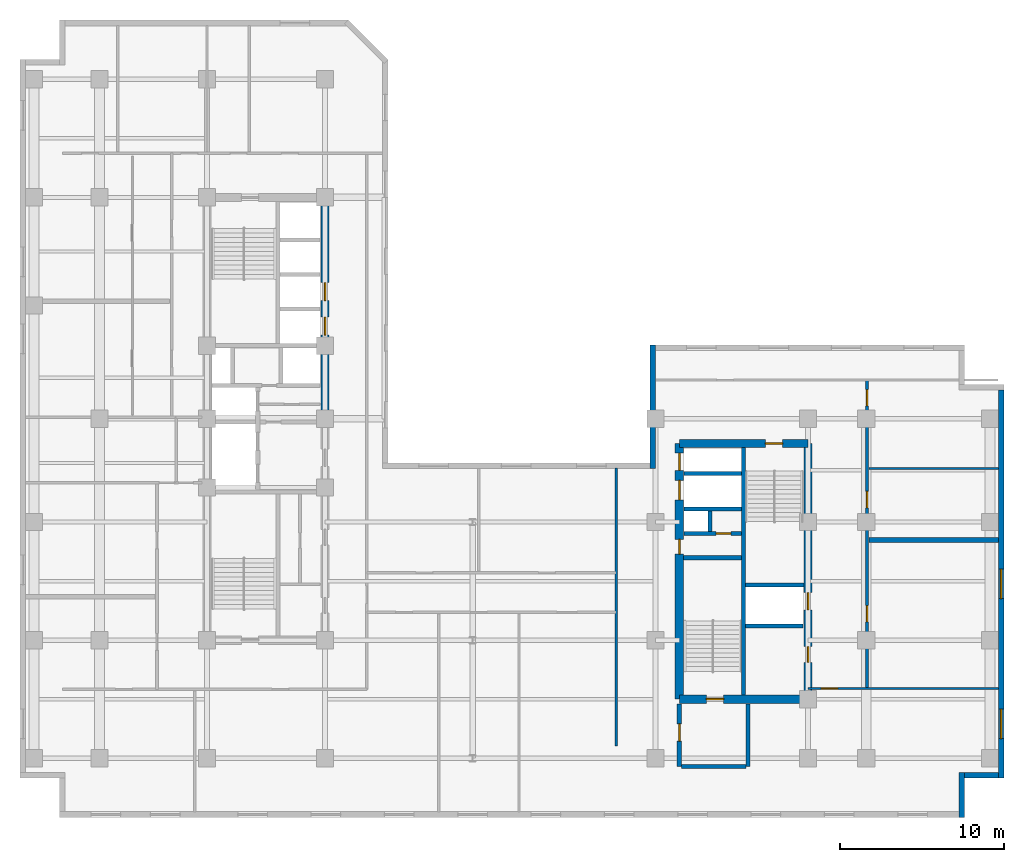
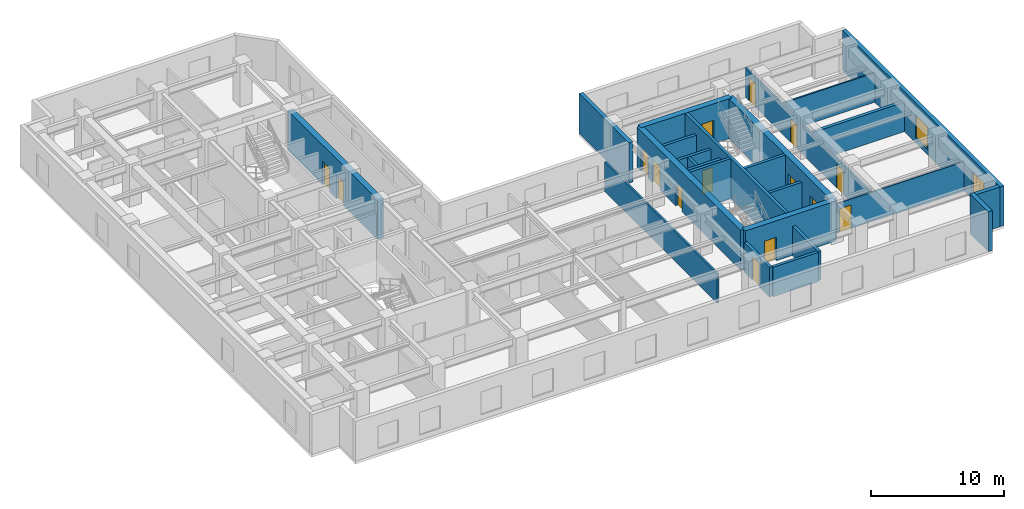
# One storey, part 5 of 10: 25 walls, 15 doors, 2 windows, 17 openings.
"""IFC4 building model written with IfcOpenShell, lengths in metres."""

import ifcopenshell
import ifcopenshell.guid

model = None  # the IFC model being written
_history = None  # IfcOwnerHistory: only IFC2X3 demands one
_inside = {}  # id of a spatial element -> (the spatial element, [elements in it])
_under = {}  # id of a project, library or spatial element -> (it, [spatial elements below it])
_declared = {}  # id of a project -> (the project, [libraries it declares])
_typed = {}  # id of a type object -> (the type object, [elements of that type])
_made_of = {}  # id of a material, layer set ... -> (it, [elements and type objects made of it])


def new_model(schema):
    """Start an empty IFC model of exactly this schema.

    Asked for "IFC4X3", IfcOpenShell would pick the latest addendum, in which some entities
    have other attributes; the version numbers below select the first issue.
    IFC2X3 requires an IfcOwnerHistory on every rooted entity: one is made here for all.
    """
    global model, _history
    if schema == "IFC4X3":
        model = ifcopenshell.file(schema_version=(4, 3, 0, 0))
    else:
        model = ifcopenshell.file(schema=schema)
    _inside.clear()
    _under.clear()
    _declared.clear()
    _typed.clear()
    _made_of.clear()
    _history = None
    if model.schema == "IFC2X3":
        org = make("IfcOrganization", Name="unknown")
        user = make(
            "IfcPersonAndOrganization",
            ThePerson=make("IfcPerson", FamilyName="unknown"),
            TheOrganization=org,
        )
        app = make(
            "IfcApplication",
            ApplicationDeveloper=org,
            Version="unknown",
            ApplicationFullName="unknown",
            ApplicationIdentifier="unknown",
        )
        _history = make(
            "IfcOwnerHistory",
            OwningUser=user,
            OwningApplication=app,
            ChangeAction="ADDED",
            CreationDate=0,
        )
    return model


def make(cls, **values):
    """One entity of the class cls with the attributes given. An attribute that is None is left unset."""
    return model.create_entity(
        cls, **{name: value for name, value in values.items() if value is not None}
    )


def entity(cls, *values):
    """Any entity or typed value of the class cls, its attributes in the order of the schema. None: left unset."""
    e = model.create_entity(cls)
    for i, value in enumerate(values):
        if value is not None:
            e[i] = value
    return e


def rooted(cls, **values):
    """An entity with a GlobalId (a new one), such as an element, a storey or a relation."""
    return make(cls, GlobalId=ifcopenshell.guid.new(), OwnerHistory=_history, **values)


def si_unit(unit_type, name, prefix=None):
    """IfcSIUnit, for example si_unit("LENGTHUNIT", "METRE", prefix="MILLI")."""
    return make("IfcSIUnit", UnitType=unit_type, Prefix=prefix, Name=name)


def converted_unit(unit_type, name, factor, base, dimensions=None, offset=None):
    """IfcConversionBasedUnit, such as the inch: factor (a typed value) times the base unit."""
    return make(
        "IfcConversionBasedUnit"
        if offset is None
        else "IfcConversionBasedUnitWithOffset",
        ConversionOffset=offset,
        Dimensions=None
        if dimensions is None
        else entity("IfcDimensionalExponents", *dimensions),
        UnitType=unit_type,
        Name=name,
        ConversionFactor=make(
            "IfcMeasureWithUnit", ValueComponent=factor, UnitComponent=base
        ),
    )


def assignment(units):
    """IfcUnitAssignment: the units of a project."""
    return None if units is None else make("IfcUnitAssignment", Units=units)


def point(xyz):
    """IfcCartesianPoint."""
    return None if xyz is None else make("IfcCartesianPoint", Coordinates=xyz)


def direction(xyz):
    """IfcDirection."""
    return None if xyz is None else make("IfcDirection", DirectionRatios=xyz)


def frame(location, z_axis=None, x_axis=None):
    """IfcAxis2Placement3D, a coordinate frame: its origin and axes. An axis left out is left unset."""
    return make(
        "IfcAxis2Placement3D",
        Location=point(location),
        Axis=direction(z_axis),
        RefDirection=direction(x_axis),
    )


def frame_2d(location, x_axis=None):
    """IfcAxis2Placement2D, a coordinate frame in the plane: its origin and x axis."""
    return make(
        "IfcAxis2Placement2D", Location=point(location), RefDirection=direction(x_axis)
    )


def origin_with_axes():
    """The frame at (0, 0, 0) with the z axis (0, 0, 1) and the x axis (1, 0, 0) written out."""
    return frame((0.0, 0.0, 0.0), z_axis=(0.0, 0.0, 1.0), x_axis=(1.0, 0.0, 0.0))


def origin_2d_with_axis():
    """The frame at (0, 0) in the plane with the x axis (1, 0) written out."""
    return frame_2d((0.0, 0.0), x_axis=(1.0, 0.0))


def place(relative_to, where):
    """IfcLocalPlacement: puts the frame where relative to a parent placement (None: the world)."""
    return make(
        "IfcLocalPlacement", PlacementRelTo=relative_to, RelativePlacement=where
    )


def context(
    kind, dimensions, precision=None, world=None, true_north=None, identifier=None
):
    """IfcGeometricRepresentationContext, for example the 3D "Model" context."""
    return make(
        "IfcGeometricRepresentationContext",
        ContextIdentifier=identifier,
        ContextType=kind,
        CoordinateSpaceDimension=dimensions,
        Precision=precision,
        WorldCoordinateSystem=world,
        TrueNorth=true_north,
    )


def subcontext(parent, identifier, kind, view, scale=None):
    """IfcGeometricRepresentationSubContext, for example "Body" below "Model"."""
    return make(
        "IfcGeometricRepresentationSubContext",
        ContextIdentifier=identifier,
        ContextType=kind,
        ParentContext=parent,
        TargetScale=scale,
        TargetView=view,
    )


def project(units=None, contexts=None):
    """IfcProject with its units and contexts."""
    return rooted(
        "IfcProject",
        Name="project",
        RepresentationContexts=contexts,
        UnitsInContext=assignment(units),
    )


def spatial(cls, under=None, at=None, **own):
    """A site, building, storey or space (cls), placed at a placement, below another one or the project."""
    s = rooted(cls, ObjectPlacement=at, **own)
    if under is not None:
        _under.setdefault(under.id(), (under, []))[1].append(s)
    return s


def polyline(points):
    """IfcPolyline through the points."""
    return make("IfcPolyline", Points=[point(p) for p in points])


def profile(cls, at=None, kind="AREA", **sizes):
    """A parametric profile (cls). Its sizes go by their IFC names, for example OverallWidth=200.0."""
    return make(cls, ProfileType=kind, Position=at, **sizes)


def rectangle(**sizes):
    """IfcRectangleProfileDef."""
    return profile("IfcRectangleProfileDef", **sizes)


def outline(outer, holes=None, kind="AREA"):
    """IfcArbitraryClosedProfileDef: a profile drawn as a closed curve; with holes, ...WithVoids."""
    if holes is None:
        return make("IfcArbitraryClosedProfileDef", ProfileType=kind, OuterCurve=outer)
    return make(
        "IfcArbitraryProfileDefWithVoids",
        ProfileType=kind,
        OuterCurve=outer,
        InnerCurves=holes,
    )


def extrude(swept, where, along, depth):
    """IfcExtrudedAreaSolid: the profile swept, set in the frame where, extruded along a direction by depth."""
    return make(
        "IfcExtrudedAreaSolid",
        SweptArea=swept,
        Position=where,
        ExtrudedDirection=direction(along),
        Depth=depth,
    )


def shape(context_of_items, identifier, shape_type, items):
    """IfcShapeRepresentation: the items that make up one representation, for example the "Body"."""
    return make(
        "IfcShapeRepresentation",
        ContextOfItems=context_of_items,
        RepresentationIdentifier=identifier,
        RepresentationType=shape_type,
        Items=items,
    )


def material(Name=None, Category=None):
    """IfcMaterial."""
    return make("IfcMaterial", Name=Name, Category=Category)


def layer(
    of_material, thickness, ventilated=None, Name=None, Category=None, Priority=None
):
    """IfcMaterialLayer: one layer of a wall or slab, of a material (None: an air gap)."""
    return make(
        "IfcMaterialLayer",
        Material=of_material,
        LayerThickness=thickness,
        IsVentilated=ventilated,
        Name=Name,
        Category=Category,
        Priority=Priority,
    )


def layer_set(layers, Name=None):
    """IfcMaterialLayerSet."""
    return make("IfcMaterialLayerSet", MaterialLayers=layers, LayerSetName=Name)


def made_of(thing, what):
    """Note that an element or type object is made of a material, layer set ...; save() writes the relation."""
    if what is not None:
        _made_of.setdefault(what.id(), (what, []))[1].append(thing)
    return thing


def type_object(cls, material=None, **own):
    """A type object (cls), such as IfcWallType, which elements share."""
    return made_of(rooted(cls, **own), material)


def element(
    cls,
    number,
    at=None,
    inside=None,
    cuts=None,
    type_object=None,
    material=None,
    context=None,
    identifier="Body",
    shape_type=None,
    held_by="IfcProductDefinitionShape",
    body=None,
    shapes=None,
    **own,
):
    """One element of the class cls, such as IfcWall. Its Tag is "e" and its number.

    at: its placement. inside: the storey or other place that contains it. cuts: it is an
    opening in that element (IfcRelVoidsElement). A single representation is given by context,
    identifier, shape_type and body (its items); several are given by shapes. held_by: the class
    of the entity that holds the representations. save() writes the other relations.
    """
    e = rooted(cls, Tag="e%d" % number, ObjectPlacement=at, **own)
    if body is not None:
        shapes = [shape(context, identifier, shape_type, body)]
    if shapes is not None:
        e.Representation = make(held_by, Representations=shapes)
    if inside is not None:
        _inside.setdefault(inside.id(), (inside, []))[1].append(e)
    if cuts is not None:
        rooted(
            "IfcRelVoidsElement", RelatingBuildingElement=cuts, RelatedOpeningElement=e
        )
    if type_object is not None:
        _typed.setdefault(type_object.id(), (type_object, []))[1].append(e)
    return made_of(e, material)


def fill(opening, filler):
    """IfcRelFillsElement: the door or window that sits in an opening."""
    return rooted(
        "IfcRelFillsElement",
        RelatingOpeningElement=opening,
        RelatedBuildingElement=filler,
    )


def aggregate(whole, parts):
    """IfcRelAggregates: a whole, such as a stair, and the parts it consists of."""
    return rooted("IfcRelAggregates", RelatingObject=whole, RelatedObjects=parts)


def save(model, path):
    """Write the relations noted so far, then the file.

    IfcRelAggregates (storeys below a building ...), IfcRelContainedInSpatialStructure (elements
    in a storey), IfcRelDefinesByType, IfcRelAssociatesMaterial and IfcRelDeclares: one each for
    every whole, place, type object, material and project.
    """
    for whole, parts in _under.values():
        aggregate(whole, parts)
    for where, things in _inside.values():
        rooted(
            "IfcRelContainedInSpatialStructure",
            RelatedElements=things,
            RelatingStructure=where,
        )
    for kind, things in _typed.values():
        rooted("IfcRelDefinesByType", RelatedObjects=things, RelatingType=kind)
    for what, things in _made_of.values():
        rooted("IfcRelAssociatesMaterial", RelatedObjects=things, RelatingMaterial=what)
    for by, libraries in _declared.values():
        rooted("IfcRelDeclares", RelatingContext=by, RelatedDefinitions=libraries)
    model.write(path)


model = new_model("IFC4")

# Units and contexts
model_context = context("Model", 3, precision=1e-05, world=origin_with_axes(), true_north=direction((0.0, 1.0)))
body_context = subcontext(model_context, "Body", "Model", "MODEL_VIEW")
ifc_project = project(units=[si_unit("LENGTHUNIT", "METRE"), si_unit("AREAUNIT", "SQUARE_METRE"), si_unit("VOLUMEUNIT", "CUBIC_METRE"), converted_unit("PLANEANGLEUNIT", "DEGREE", entity("IfcPlaneAngleMeasure", 0.017453292519943295), si_unit("PLANEANGLEUNIT", "RADIAN"), dimensions=[0, 0, 0, 0, 0, 0, 0]), si_unit("MASSUNIT", "GRAM", prefix="KILO"), si_unit("THERMODYNAMICTEMPERATUREUNIT", "KELVIN")], contexts=[model_context])

# Site, building, storey
site_placement = place(None, origin_with_axes())
site = spatial("IfcSite", under=ifc_project, at=site_placement, CompositionType="ELEMENT")
building_placement = place(site_placement, origin_with_axes())
building = spatial("IfcBuilding", under=site, at=building_placement, Name="Varnlund Millrace Tower", CompositionType="ELEMENT")
storey_placement = place(building_placement, frame((0.0, 0.0, 148.5), z_axis=(0.0, 0.0, 1.0), x_axis=(1.0, 0.0, 0.0)))
storey = spatial("IfcBuildingStorey", under=building, at=storey_placement, Name="L36", CompositionType="ELEMENT", Elevation=148.5)

# Wall, openings, doors
ifc_material_1 = material(Name="Concrete C70/85", Category="concrete")
ifc_layer_1 = layer(ifc_material_1, 0.5, Name="Concrete C70/85")
ifc_layer_set_1 = layer_set([ifc_layer_1], Name="Concrete C70/85")
wall_type_1 = type_object("IfcWallType", Name="Type-CoreWall-Shear-500-C70", PredefinedType="SHEAR", material=ifc_layer_set_1)
wall_1_placement = place(storey_placement, frame((18.6, 24.3, 0.0), z_axis=(0.0, 0.0, 1.0), x_axis=(0.0, 1.0, 0.0)))
wall_1 = element("IfcWall", 1, at=wall_1_placement, inside=storey, type_object=wall_type_1, Name="Type-CoreWall-Shear-500-C70", PredefinedType="SHEAR", context=body_context, shape_type="SweptSolid", body=[
    extrude(outline(polyline([(0.0, -0.25), (13.5, -0.25), (13.5, 0.25), (0.0, 0.25), (0.0, -0.25)])), origin_with_axes(), (0.0, 0.0, 1.0), 3.66),
])
opening_1_placement = place(wall_1_placement, frame((5.65, 0.0, 0.0), z_axis=(0.0, 0.0, 1.0), x_axis=(1.0, 0.0, 0.0)))
opening_1 = element("IfcOpeningElement", 2, at=opening_1_placement, cuts=wall_1, Name="Opening L36:LD-ELV-M1", PredefinedType="OPENING", context=body_context, shape_type="SweptSolid", body=[
    extrude(rectangle(XDim=1.1, YDim=0.52, at=origin_2d_with_axis()), origin_with_axes(), (0.0, 0.0, 1.0), 2.15),
])
opening_2_placement = place(wall_1_placement, frame((7.75, 0.0, 0.0), z_axis=(0.0, 0.0, 1.0), x_axis=(1.0, 0.0, 0.0)))
opening_2 = element("IfcOpeningElement", 3, at=opening_2_placement, cuts=wall_1, Name="Opening L36:LD-ELV-M2", PredefinedType="OPENING", context=body_context, shape_type="SweptSolid", body=[
    extrude(rectangle(XDim=1.1, YDim=0.52, at=origin_2d_with_axis()), origin_with_axes(), (0.0, 0.0, 1.0), 2.15),
])
ifc_material_2 = material(Name="Stainless and architectural bronze sliding landing door")
door_type_1 = type_object("IfcDoorType", Name="Type-LiftLandingDoor-1100X2150", OperationType="NOTDEFINED", PredefinedType="DOOR", material=ifc_material_2)
door_1_placement = place(wall_1_placement, frame((5.65, 0.0, 0.0), z_axis=(0.0, 0.0, 1.0), x_axis=(1.0, 0.0, 0.0)))
door_1 = element("IfcDoor", 4, at=door_1_placement, inside=storey, type_object=door_type_1, Name="Type-LiftLandingDoor-1100X2150", OperationType="SLIDING_TO_LEFT", OverallHeight=2.15, OverallWidth=1.1, PredefinedType="DOOR", context=body_context, shape_type="SweptSolid", body=[
    extrude(rectangle(XDim=1.1, YDim=0.09, at=origin_2d_with_axis()), origin_with_axes(), (0.0, 0.0, 1.0), 2.15),
])
fill(opening_1, door_1)
door_2_placement = place(wall_1_placement, frame((7.75, 0.0, 0.0), z_axis=(0.0, 0.0, 1.0), x_axis=(1.0, 0.0, 0.0)))
door_2 = element("IfcDoor", 5, at=door_2_placement, inside=storey, type_object=door_type_1, Name="Type-LiftLandingDoor-1100X2150", OperationType="SLIDING_TO_RIGHT", OverallHeight=2.15, OverallWidth=1.1, PredefinedType="DOOR", context=body_context, shape_type="SweptSolid", body=[
    extrude(rectangle(XDim=1.1, YDim=0.09, at=origin_2d_with_axis()), origin_with_axes(), (0.0, 0.0, 1.0), 2.15),
])
fill(opening_2, door_2)

wall_2_placement = place(storey_placement, frame((40.2, 7.2, 0.0), z_axis=(0.0, 0.0, 1.0), x_axis=(0.0, 1.0, 0.0)))
wall_2 = element("IfcWall", 6, at=wall_2_placement, inside=storey, type_object=wall_type_1, Name="Type-CoreWall-Shear-500-C70", PredefinedType="SHEAR", context=body_context, shape_type="SweptSolid", body=[
    extrude(outline(polyline([(0.0, -0.25), (15.6, -0.25), (15.6, 0.25), (0.0, 0.25), (0.0, -0.25)])), origin_with_axes(), (0.0, 0.0, 1.0), 3.66),
])
opening_3_placement = place(wall_2_placement, frame((14.475, 0.0, 0.0), z_axis=(0.0, 0.0, 1.0), x_axis=(1.0, 0.0, 0.0)))
opening_3 = element("IfcOpeningElement", 7, at=opening_3_placement, cuts=wall_2, Name="Opening L36:LD-ELV-M4", PredefinedType="OPENING", context=body_context, shape_type="SweptSolid", body=[
    extrude(rectangle(XDim=1.05, YDim=0.52, at=origin_2d_with_axis()), origin_with_axes(), (0.0, 0.0, 1.0), 2.15),
])
opening_4_placement = place(wall_2_placement, frame((12.75, 0.0, 0.0), z_axis=(0.0, 0.0, 1.0), x_axis=(1.0, 0.0, 0.0)))
opening_4 = element("IfcOpeningElement", 8, at=opening_4_placement, cuts=wall_2, Name="Opening L36:LD-SRV2", PredefinedType="OPENING", context=body_context, shape_type="SweptSolid", body=[
    extrude(rectangle(XDim=1.2, YDim=0.52, at=origin_2d_with_axis()), origin_with_axes(), (0.0, 0.0, 1.0), 2.15),
])
opening_5_placement = place(wall_2_placement, frame((9.3, 0.0, 0.0), z_axis=(0.0, 0.0, 1.0), x_axis=(1.0, 0.0, 0.0)))
opening_5 = element("IfcOpeningElement", 9, at=opening_5_placement, cuts=wall_2, Name="Opening L36:DR-CB-JAN", PredefinedType="OPENING", context=body_context, shape_type="SweptSolid", body=[
    extrude(rectangle(XDim=0.9, YDim=0.52, at=origin_2d_with_axis()), origin_with_axes(), (0.0, 0.0, 1.0), 2.15),
])
ifc_material_3 = material(Name="Fire-rated hollow steel service closet door", Category="steel")
door_type_2 = type_object("IfcDoorType", Name="Type-FireDoor-Closet-900X2150", OperationType="NOTDEFINED", PredefinedType="DOOR", material=ifc_material_3)
door_3_placement = place(wall_2_placement, frame((9.3, 0.0, 0.0), z_axis=(0.0, 0.0, 1.0), x_axis=(1.0, 0.0, 0.0)))
door_3 = element("IfcDoor", 10, at=door_3_placement, inside=storey, type_object=door_type_2, Name="Type-FireDoor-Closet-900X2150", OperationType="SINGLE_SWING_RIGHT", OverallHeight=2.15, OverallWidth=0.9, PredefinedType="DOOR", context=body_context, shape_type="SweptSolid", body=[
    extrude(rectangle(XDim=0.9, YDim=0.09, at=origin_2d_with_axis()), origin_with_axes(), (0.0, 0.0, 1.0), 2.15),
])
fill(opening_5, door_3)
ifc_material_4 = material(Name="Architectural bronze sliding landing door")
door_type_3 = type_object("IfcDoorType", Name="Type-LiftLandingDoor-Compact-1050X2150", OperationType="NOTDEFINED", PredefinedType="DOOR", material=ifc_material_4)
door_4_placement = place(wall_2_placement, frame((14.475, 0.0, 0.0), z_axis=(0.0, 0.0, 1.0), x_axis=(1.0, 0.0, 0.0)))
door_4 = element("IfcDoor", 11, at=door_4_placement, inside=storey, type_object=door_type_3, Name="Type-LiftLandingDoor-Compact-1050X2150", OperationType="SLIDING_TO_RIGHT", OverallHeight=2.15, OverallWidth=1.05, PredefinedType="DOOR", context=body_context, shape_type="SweptSolid", body=[
    extrude(rectangle(XDim=1.05, YDim=0.09, at=origin_2d_with_axis()), origin_with_axes(), (0.0, 0.0, 1.0), 2.15),
])
fill(opening_3, door_4)
ifc_material_5 = material(Name="Heavy-duty freight sliding landing door")
door_type_4 = type_object("IfcDoorType", Name="Type-LiftLandingDoor-Service-1200X2150", OperationType="NOTDEFINED", PredefinedType="DOOR", material=ifc_material_5)
door_5_placement = place(wall_2_placement, frame((12.75, 0.0, 0.0), z_axis=(0.0, 0.0, 1.0), x_axis=(1.0, 0.0, 0.0)))
door_5 = element("IfcDoor", 12, at=door_5_placement, inside=storey, type_object=door_type_4, Name="Type-LiftLandingDoor-Service-1200X2150", OperationType="DOUBLE_DOOR_SLIDING", OverallHeight=2.15, OverallWidth=1.2, PredefinedType="DOOR", context=body_context, shape_type="SweptSolid", body=[
    extrude(rectangle(XDim=1.2, YDim=0.09, at=origin_2d_with_axis()), origin_with_axes(), (0.0, 0.0, 1.0), 2.15),
])
fill(opening_4, door_5)

# Wall, opening, door
wall_3_placement = place(storey_placement, frame((40.2, 7.2, 0.0), z_axis=(0.0, 0.0, 1.0), x_axis=(1.0, 0.0, 0.0)))
wall_3 = element("IfcWall", 13, at=wall_3_placement, inside=storey, type_object=wall_type_1, Name="Type-CoreWall-Shear-500-C70", PredefinedType="SHEAR", context=body_context, shape_type="SweptSolid", body=[
    extrude(outline(polyline([(0.0, -0.25), (7.85, -0.25), (7.85, 0.25), (0.0, 0.25), (0.0, -0.25)])), origin_with_axes(), (0.0, 0.0, 1.0), 3.66),
])
opening_6_placement = place(wall_3_placement, frame((2.175, 0.0, 0.0), z_axis=(0.0, 0.0, 1.0), x_axis=(1.0, 0.0, 0.0)))
opening_6 = element("IfcOpeningElement", 14, at=opening_6_placement, cuts=wall_3, Name="Opening L36:DR-STB1", PredefinedType="OPENING", context=body_context, shape_type="SweptSolid", body=[
    extrude(rectangle(XDim=1.05, YDim=0.52, at=origin_2d_with_axis()), origin_with_axes(), (0.0, 0.0, 1.0), 2.15),
])
ifc_material_6 = material(Name="Fire-rated hollow steel door", Category="steel")
door_type_5 = type_object("IfcDoorType", Name="Type-FireDoor-Stair-1050X2150", OperationType="NOTDEFINED", PredefinedType="DOOR", material=ifc_material_6)
door_6_placement = place(wall_3_placement, frame((2.175, 0.0, 0.0), z_axis=(0.0, 0.0, 1.0), x_axis=(1.0, 0.0, 0.0)))
door_6 = element("IfcDoor", 15, at=door_6_placement, inside=storey, type_object=door_type_5, Name="Type-FireDoor-Stair-1050X2150", OperationType="SINGLE_SWING_LEFT", OverallHeight=2.15, OverallWidth=1.05, PredefinedType="DOOR", context=body_context, shape_type="SweptSolid", body=[
    extrude(rectangle(XDim=1.05, YDim=0.09, at=origin_2d_with_axis()), origin_with_axes(), (0.0, 0.0, 1.0), 2.15),
])
fill(opening_6, door_6)

wall_4_placement = place(storey_placement, frame((40.2, 22.8, 0.0), z_axis=(0.0, 0.0, 1.0), x_axis=(1.0, 0.0, 0.0)))
wall_4 = element("IfcWall", 16, at=wall_4_placement, inside=storey, type_object=wall_type_1, Name="Type-CoreWall-Shear-500-C70", PredefinedType="SHEAR", context=body_context, shape_type="SweptSolid", body=[
    extrude(outline(polyline([(0.0, -0.25), (7.85, -0.25), (7.85, 0.25), (0.0, 0.25), (0.0, -0.25)])), origin_with_axes(), (0.0, 0.0, 1.0), 3.66),
])
opening_7_placement = place(wall_4_placement, frame((5.775, 0.0, 0.0), z_axis=(0.0, 0.0, 1.0), x_axis=(1.0, 0.0, 0.0)))
opening_7 = element("IfcOpeningElement", 17, at=opening_7_placement, cuts=wall_4, Name="Opening L36:DR-STB2", PredefinedType="OPENING", context=body_context, shape_type="SweptSolid", body=[
    extrude(rectangle(XDim=1.05, YDim=0.52, at=origin_2d_with_axis()), origin_with_axes(), (0.0, 0.0, 1.0), 2.15),
])
door_7_placement = place(wall_4_placement, frame((5.775, 0.0, 0.0), z_axis=(0.0, 0.0, 1.0), x_axis=(1.0, 0.0, 0.0)))
door_7 = element("IfcDoor", 18, at=door_7_placement, inside=storey, type_object=door_type_5, Name="Type-FireDoor-Stair-1050X2150", OperationType="SINGLE_SWING_RIGHT", OverallHeight=2.15, OverallWidth=1.05, PredefinedType="DOOR", context=body_context, shape_type="SweptSolid", body=[
    extrude(rectangle(XDim=1.05, YDim=0.09, at=origin_2d_with_axis()), origin_with_axes(), (0.0, 0.0, 1.0), 2.15),
])
fill(opening_7, door_7)

# Wall, openings, doors
wall_5_placement = place(storey_placement, frame((48.05, 7.2, 0.0), z_axis=(0.0, 0.0, 1.0), x_axis=(0.0, 1.0, 0.0)))
wall_5 = element("IfcWall", 19, at=wall_5_placement, inside=storey, type_object=wall_type_1, Name="Type-CoreWall-Shear-500-C70", PredefinedType="SHEAR", context=body_context, shape_type="SweptSolid", body=[
    extrude(outline(polyline([(0.0, -0.25), (15.6, -0.25), (15.6, 0.25), (0.0, 0.25), (0.0, -0.25)])), origin_with_axes(), (0.0, 0.0, 1.0), 3.66),
])
opening_8_placement = place(wall_5_placement, frame((5.975, 0.0, 0.0), z_axis=(0.0, 0.0, 1.0), x_axis=(1.0, 0.0, 0.0)))
opening_8 = element("IfcOpeningElement", 20, at=opening_8_placement, cuts=wall_5, Name="Opening L36:LD-ELV-M3", PredefinedType="OPENING", context=body_context, shape_type="SweptSolid", body=[
    extrude(rectangle(XDim=1.05, YDim=0.52, at=origin_2d_with_axis()), origin_with_axes(), (0.0, 0.0, 1.0), 2.15),
])
opening_9_placement = place(wall_5_placement, frame((2.725, 0.0, 0.0), z_axis=(0.0, 0.0, 1.0), x_axis=(1.0, 0.0, 0.0)))
opening_9 = element("IfcOpeningElement", 21, at=opening_9_placement, cuts=wall_5, Name="Opening L36:DR-CB-WC", PredefinedType="OPENING", context=body_context, shape_type="SweptSolid", body=[
    extrude(rectangle(XDim=0.95, YDim=0.52, at=origin_2d_with_axis()), origin_with_axes(), (0.0, 0.0, 1.0), 2.15),
])
ifc_material_7 = material(Name="Fire-rated hollow steel core service door", Category="steel")
door_type_6 = type_object("IfcDoorType", Name="Type-FireDoor-Service-950X2150", OperationType="NOTDEFINED", PredefinedType="DOOR", material=ifc_material_7)
door_8_placement = place(wall_5_placement, frame((2.725, 0.0, 0.0), z_axis=(0.0, 0.0, 1.0), x_axis=(1.0, 0.0, 0.0)))
door_8 = element("IfcDoor", 22, at=door_8_placement, inside=storey, type_object=door_type_6, Name="Type-FireDoor-Service-950X2150", OperationType="SINGLE_SWING_LEFT", OverallHeight=2.15, OverallWidth=0.95, PredefinedType="DOOR", context=body_context, shape_type="SweptSolid", body=[
    extrude(rectangle(XDim=0.95, YDim=0.09, at=origin_2d_with_axis()), origin_with_axes(), (0.0, 0.0, 1.0), 2.15),
])
fill(opening_9, door_8)
door_9_placement = place(wall_5_placement, frame((5.975, 0.0, 0.0), z_axis=(0.0, 0.0, 1.0), x_axis=(1.0, 0.0, 0.0)))
door_9 = element("IfcDoor", 23, at=door_9_placement, inside=storey, type_object=door_type_3, Name="Type-LiftLandingDoor-Compact-1050X2150", OperationType="SLIDING_TO_LEFT", OverallHeight=2.15, OverallWidth=1.05, PredefinedType="DOOR", context=body_context, shape_type="SweptSolid", body=[
    extrude(rectangle(XDim=1.05, YDim=0.09, at=origin_2d_with_axis()), origin_with_axes(), (0.0, 0.0, 1.0), 2.15),
])
fill(opening_8, door_9)

# Wall
ifc_material_8 = material(Name="Precast concrete C50/60", Category="concrete")
ifc_layer_2 = layer(ifc_material_8, 0.34, Name="Precast concrete C50/60")
ifc_layer_set_2 = layer_set([ifc_layer_2], Name="Precast concrete C50/60")
wall_type_2 = type_object("IfcWallType", Name="Type-ExtWall-Precast-Upper-340", PredefinedType="SOLIDWALL", material=ifc_layer_set_2)
wall_6_placement = place(storey_placement, frame((38.57, 21.26, 0.0), z_axis=(0.0, 0.0, 1.0), x_axis=(0.0, 1.0, 0.0)))
element("IfcWall", 24, at=wall_6_placement, inside=storey, type_object=wall_type_2, Name="Type-ExtWall-Precast-Upper-340", PredefinedType="SOLIDWALL", context=body_context, shape_type="SweptSolid", body=[
    extrude(outline(polyline([(0.0, -0.17), (7.54, -0.17), (7.54, 0.17), (0.0, 0.17), (0.0, -0.17)])), origin_with_axes(), (0.0, 0.0, 1.0), 3.66),
])

# Wall, openings, windows
wall_7_placement = place(storey_placement, frame((59.83, 26.06, 0.0), z_axis=(0.0, 0.0, 1.0), x_axis=(0.0, -1.0, 0.0)))
wall_7 = element("IfcWall", 25, at=wall_7_placement, inside=storey, type_object=wall_type_2, Name="Type-ExtWall-Precast-Upper-340", PredefinedType="SOLIDWALL", context=body_context, shape_type="SweptSolid", body=[
    extrude(outline(polyline([(0.0, -0.17), (23.66, -0.17), (23.66, 0.17), (0.0, 0.17), (0.0, -0.17)])), origin_with_axes(), (0.0, 0.0, 1.0), 3.66),
])
opening_10_placement = place(wall_7_placement, frame((11.83, 0.0, 0.45), z_axis=(0.0, 0.0, 1.0), x_axis=(1.0, 0.0, 0.0)))
opening_10 = element("IfcOpeningElement", 26, at=opening_10_placement, cuts=wall_7, Name="Opening L36:WN-05", PredefinedType="OPENING", context=body_context, shape_type="SweptSolid", body=[
    extrude(rectangle(XDim=1.8, YDim=0.36, at=origin_2d_with_axis()), origin_with_axes(), (0.0, 0.0, 1.0), 2.1),
])
opening_11_placement = place(wall_7_placement, frame((20.364, 0.0, 0.45), z_axis=(0.0, 0.0, 1.0), x_axis=(1.0, 0.0, 0.0)))
opening_11 = element("IfcOpeningElement", 27, at=opening_11_placement, cuts=wall_7, Name="Opening L36:WN-06", PredefinedType="OPENING", context=body_context, shape_type="SweptSolid", body=[
    extrude(rectangle(XDim=1.8, YDim=0.36, at=origin_2d_with_axis()), origin_with_axes(), (0.0, 0.0, 1.0), 2.1),
])
ifc_material_9 = material(Name="Argon low-e triple glazing in thermally broken bronze frame", Category="glass")
window_type = type_object("IfcWindowType", Name="Type-Window-Punched-1800X2100", PartitioningType="SINGLE_PANEL", PredefinedType="WINDOW", material=ifc_material_9)
window_1_placement = place(wall_7_placement, frame((11.83, 0.0, 0.45), z_axis=(0.0, 0.0, 1.0), x_axis=(1.0, 0.0, 0.0)))
window_1 = element("IfcWindow", 28, at=window_1_placement, inside=storey, type_object=window_type, Name="Type-Window-Punched-1800X2100", OverallHeight=2.1, OverallWidth=1.8, PredefinedType="WINDOW", context=body_context, shape_type="SweptSolid", body=[
    extrude(rectangle(XDim=1.8, YDim=0.09, at=origin_2d_with_axis()), origin_with_axes(), (0.0, 0.0, 1.0), 2.1),
])
fill(opening_10, window_1)
window_2_placement = place(wall_7_placement, frame((20.364, 0.0, 0.45), z_axis=(0.0, 0.0, 1.0), x_axis=(1.0, 0.0, 0.0)))
window_2 = element("IfcWindow", 29, at=window_2_placement, inside=storey, type_object=window_type, Name="Type-Window-Punched-1800X2100", OverallHeight=2.1, OverallWidth=1.8, PredefinedType="WINDOW", context=body_context, shape_type="SweptSolid", body=[
    extrude(rectangle(XDim=1.8, YDim=0.09, at=origin_2d_with_axis()), origin_with_axes(), (0.0, 0.0, 1.0), 2.1),
])
fill(opening_11, window_2)

# Walls
wall_8_placement = place(storey_placement, frame((59.66, 2.57, 0.0), z_axis=(0.0, 0.0, 1.0), x_axis=(-1.0, 0.0, 0.0)))
element("IfcWall", 30, at=wall_8_placement, inside=storey, type_object=wall_type_2, Name="Type-ExtWall-Precast-Upper-340", PredefinedType="SOLIDWALL", context=body_context, shape_type="SweptSolid", body=[
    extrude(outline(polyline([(0.0, -0.17), (2.06, -0.17), (2.06, 0.17), (0.0, 0.17), (0.0, -0.17)])), origin_with_axes(), (0.0, 0.0, 1.0), 3.66),
])
wall_9_placement = place(storey_placement, frame((57.43, 2.74, 0.0), z_axis=(0.0, 0.0, 1.0), x_axis=(0.0, -1.0, 0.0)))
element("IfcWall", 31, at=wall_9_placement, inside=storey, type_object=wall_type_2, Name="Type-ExtWall-Precast-Upper-340", PredefinedType="SOLIDWALL", context=body_context, shape_type="SweptSolid", body=[
    extrude(outline(polyline([(0.0, -0.17), (2.74, -0.17), (2.74, 0.17), (0.0, 0.17), (0.0, -0.17)])), origin_with_axes(), (0.0, 0.0, 1.0), 3.66),
])
ifc_material_10 = material(Name="Double-stud STC-60 conference acoustic partition", Category="gypsum")
ifc_layer_3 = layer(ifc_material_10, 0.28, Name="Double-stud STC-60 conference acoustic partition")
ifc_layer_set_3 = layer_set([ifc_layer_3], Name="Double-stud STC-60 conference acoustic partition")
wall_type_3 = type_object("IfcWallType", Name="Type-Partition-Acoustic-280", PredefinedType="PARTITIONING", material=ifc_layer_set_3)
wall_10_placement = place(storey_placement, frame((51.77, 16.908, 0.0), z_axis=(0.0, 0.0, 1.0), x_axis=(1.0, 0.0, 0.0)))
element("IfcWall", 32, at=wall_10_placement, inside=storey, type_object=wall_type_3, Name="Type-Partition-Acoustic-280", PredefinedType="PARTITIONING", context=body_context, shape_type="SweptSolid", body=[
    extrude(outline(polyline([(0.0, -0.14), (7.895, -0.14), (7.895, 0.14), (0.0, 0.14), (0.0, -0.14)])), origin_with_axes(), (0.0, 0.0, 1.0), 2.7),
])
ifc_material_11 = material(Name="Fire-rated gypsum board on cold-formed steel framing", Category="steel")
ifc_layer_4 = layer(ifc_material_11, 0.16, Name="Fire-rated gypsum board on cold-formed steel framing")
ifc_layer_set_4 = layer_set([ifc_layer_4], Name="Fire-rated gypsum board on cold-formed steel framing")
wall_type_4 = type_object("IfcWallType", Name="Type-Partition-Corridor-160", PredefinedType="PARTITIONING", material=ifc_layer_set_4)
wall_11_placement = place(storey_placement, frame((36.35, 4.35, 0.0), z_axis=(0.0, 0.0, 1.0), x_axis=(0.0, 1.0, 0.0)))
element("IfcWall", 33, at=wall_11_placement, inside=storey, type_object=wall_type_4, Name="Type-Partition-Corridor-160", PredefinedType="PARTITIONING", context=body_context, shape_type="SweptSolid", body=[
    extrude(outline(polyline([(0.0, -0.08), (16.95, -0.08), (16.95, 0.08), (0.0, 0.08), (0.0, -0.08)])), origin_with_axes(), (0.0, 0.0, 1.0), 2.7),
])

# Wall, openings, doors
wall_12_placement = place(storey_placement, frame((51.65, 7.85, 0.0), z_axis=(0.0, 0.0, 1.0), x_axis=(0.0, 1.0, 0.0)))
wall_12 = element("IfcWall", 34, at=wall_12_placement, inside=storey, type_object=wall_type_4, Name="Type-Partition-Corridor-160", PredefinedType="PARTITIONING", context=body_context, shape_type="SweptSolid", body=[
    extrude(outline(polyline([(0.0, -0.08), (18.8, -0.08), (18.8, 0.08), (0.0, 0.08), (0.0, -0.08)])), origin_with_axes(), (0.0, 0.0, 1.0), 2.7),
])
opening_12_placement = place(wall_12_placement, frame((4.559, 0.0, 0.0), z_axis=(0.0, 0.0, 1.0), x_axis=(1.0, 0.0, 0.0)))
opening_12 = element("IfcOpeningElement", 35, at=opening_12_placement, cuts=wall_12, Name="Opening L36:DR-WB-01", PredefinedType="OPENING", context=body_context, shape_type="SweptSolid", body=[
    extrude(rectangle(XDim=1.0, YDim=0.18, at=origin_2d_with_axis()), origin_with_axes(), (0.0, 0.0, 1.0), 2.15),
])
opening_13_placement = place(wall_12_placement, frame((11.523, 0.0, 0.0), z_axis=(0.0, 0.0, 1.0), x_axis=(1.0, 0.0, 0.0)))
opening_13 = element("IfcOpeningElement", 36, at=opening_13_placement, cuts=wall_12, Name="Opening L36:DR-WB-02", PredefinedType="OPENING", context=body_context, shape_type="SweptSolid", body=[
    extrude(rectangle(XDim=1.0, YDim=0.18, at=origin_2d_with_axis()), origin_with_axes(), (0.0, 0.0, 1.0), 2.15),
])
opening_14_placement = place(wall_12_placement, frame((17.733, 0.0, 0.0), z_axis=(0.0, 0.0, 1.0), x_axis=(1.0, 0.0, 0.0)))
opening_14 = element("IfcOpeningElement", 37, at=opening_14_placement, cuts=wall_12, Name="Opening L36:DR-WB-03", PredefinedType="OPENING", context=body_context, shape_type="SweptSolid", body=[
    extrude(rectangle(XDim=1.0, YDim=0.18, at=origin_2d_with_axis()), origin_with_axes(), (0.0, 0.0, 1.0), 2.15),
])
ifc_material_12 = material(Name="Solid-core white oak and bronze frame door")
door_type_7 = type_object("IfcDoorType", Name="Type-IntDoor-Office-1000X2150", OperationType="NOTDEFINED", PredefinedType="DOOR", material=ifc_material_12)
door_10_placement = place(wall_12_placement, frame((4.559, 0.0, 0.0), z_axis=(0.0, 0.0, 1.0), x_axis=(1.0, 0.0, 0.0)))
door_10 = element("IfcDoor", 38, at=door_10_placement, inside=storey, type_object=door_type_7, Name="Type-IntDoor-Office-1000X2150", OperationType="SINGLE_SWING_LEFT", OverallHeight=2.15, OverallWidth=1.0, PredefinedType="DOOR", context=body_context, shape_type="SweptSolid", body=[
    extrude(rectangle(XDim=1.0, YDim=0.09, at=origin_2d_with_axis()), origin_with_axes(), (0.0, 0.0, 1.0), 2.15),
])
fill(opening_12, door_10)
door_11_placement = place(wall_12_placement, frame((11.523, 0.0, 0.0), z_axis=(0.0, 0.0, 1.0), x_axis=(1.0, 0.0, 0.0)))
door_11 = element("IfcDoor", 39, at=door_11_placement, inside=storey, type_object=door_type_7, Name="Type-IntDoor-Office-1000X2150", OperationType="SINGLE_SWING_RIGHT", OverallHeight=2.15, OverallWidth=1.0, PredefinedType="DOOR", context=body_context, shape_type="SweptSolid", body=[
    extrude(rectangle(XDim=1.0, YDim=0.09, at=origin_2d_with_axis()), origin_with_axes(), (0.0, 0.0, 1.0), 2.15),
])
fill(opening_13, door_11)
door_12_placement = place(wall_12_placement, frame((17.733, 0.0, 0.0), z_axis=(0.0, 0.0, 1.0), x_axis=(1.0, 0.0, 0.0)))
door_12 = element("IfcDoor", 40, at=door_12_placement, inside=storey, type_object=door_type_7, Name="Type-IntDoor-Office-1000X2150", OperationType="SINGLE_SWING_LEFT", OverallHeight=2.15, OverallWidth=1.0, PredefinedType="DOOR", context=body_context, shape_type="SweptSolid", body=[
    extrude(rectangle(XDim=1.0, YDim=0.09, at=origin_2d_with_axis()), origin_with_axes(), (0.0, 0.0, 1.0), 2.15),
])
fill(opening_14, door_12)

# Wall, opening, door
ifc_material_13 = material(Name="Gypsum board tenant partition", Category="gypsum")
ifc_layer_5 = layer(ifc_material_13, 0.125, Name="Gypsum board tenant partition")
ifc_layer_set_5 = layer_set([ifc_layer_5], Name="Gypsum board tenant partition")
wall_type_5 = type_object("IfcWallType", Name="Type-Partition-Tenant-125", PredefinedType="PARTITIONING", material=ifc_layer_set_5)
wall_13_placement = place(storey_placement, frame((59.665, 7.85, 0.0), z_axis=(0.0, 0.0, 1.0), x_axis=(-1.0, 0.0, 0.0)))
wall_13 = element("IfcWall", 41, at=wall_13_placement, inside=storey, type_object=wall_type_5, Name="Type-Partition-Tenant-125", PredefinedType="PARTITIONING", context=body_context, shape_type="SweptSolid", body=[
    extrude(outline(polyline([(0.0, -0.0625), (11.615, -0.0625), (11.615, 0.0625), (0.0, 0.0625), (0.0, -0.0625)])), origin_with_axes(), (0.0, 0.0, 1.0), 2.7),
])
opening_15_placement = place(wall_13_placement, frame((10.315, 0.0, 0.0), z_axis=(0.0, 0.0, 1.0), x_axis=(1.0, 0.0, 0.0)))
opening_15 = element("IfcOpeningElement", 42, at=opening_15_placement, cuts=wall_13, Name="Opening L36:DR-WBS-01", PredefinedType="OPENING", context=body_context, shape_type="SweptSolid", body=[
    extrude(rectangle(XDim=1.0, YDim=0.145, at=origin_2d_with_axis()), origin_with_axes(), (0.0, 0.0, 1.0), 2.15),
])
door_13_placement = place(wall_13_placement, frame((10.315, 0.0, 0.0), z_axis=(0.0, 0.0, 1.0), x_axis=(1.0, 0.0, 0.0)))
door_13 = element("IfcDoor", 43, at=door_13_placement, inside=storey, type_object=door_type_7, Name="Type-IntDoor-Office-1000X2150", OperationType="SINGLE_SWING_LEFT", OverallHeight=2.15, OverallWidth=1.0, PredefinedType="DOOR", context=body_context, shape_type="SweptSolid", body=[
    extrude(rectangle(XDim=1.0, YDim=0.075, at=origin_2d_with_axis()), origin_with_axes(), (0.0, 0.0, 1.0), 2.15),
])
fill(opening_15, door_13)

# Wall
wall_14_placement = place(storey_placement, frame((51.77, 21.277, 0.0), z_axis=(0.0, 0.0, 1.0), x_axis=(1.0, 0.0, 0.0)))
element("IfcWall", 44, at=wall_14_placement, inside=storey, type_object=wall_type_5, Name="Type-Partition-Tenant-125", PredefinedType="PARTITIONING", context=body_context, shape_type="SweptSolid", body=[
    extrude(outline(polyline([(0.0, -0.0625), (7.895, -0.0625), (7.895, 0.0625), (0.0, 0.0625), (0.0, -0.0625)])), origin_with_axes(), (0.0, 0.0, 1.0), 2.7),
])

# Wall, opening, door
ifc_material_14 = material(Name="Concrete C60/75", Category="concrete")
ifc_layer_6 = layer(ifc_material_14, 0.25, Name="Concrete C60/75")
ifc_layer_set_6 = layer_set([ifc_layer_6], Name="Concrete C60/75")
wall_type_6 = type_object("IfcWallType", Name="Type-ShaftWall-Fire-250", PredefinedType="SOLIDWALL", material=ifc_layer_set_6)
wall_15_placement = place(storey_placement, frame((40.5, 17.3, 0.0), z_axis=(0.0, 0.0, 1.0), x_axis=(1.0, 0.0, 0.0)))
wall_15 = element("IfcWall", 45, at=wall_15_placement, inside=storey, type_object=wall_type_6, Name="Type-ShaftWall-Fire-250", PredefinedType="SOLIDWALL", context=body_context, shape_type="SweptSolid", body=[
    extrude(outline(polyline([(0.0, -0.125), (3.5, -0.125), (3.5, 0.125), (0.0, 0.125), (0.0, -0.125)])), origin_with_axes(), (0.0, 0.0, 1.0), 2.7),
])
opening_16_placement = place(wall_15_placement, frame((2.4, 0.0, 0.0), z_axis=(0.0, 0.0, 1.0), x_axis=(1.0, 0.0, 0.0)))
opening_16 = element("IfcOpeningElement", 46, at=opening_16_placement, cuts=wall_15, Name="Opening L36:DR-CB-ELC", PredefinedType="OPENING", context=body_context, shape_type="SweptSolid", body=[
    extrude(rectangle(XDim=0.9, YDim=0.27, at=origin_2d_with_axis()), origin_with_axes(), (0.0, 0.0, 1.0), 2.15),
])
door_14_placement = place(wall_15_placement, frame((2.4, 0.0, 0.0), z_axis=(0.0, 0.0, 1.0), x_axis=(1.0, 0.0, 0.0)))
door_14 = element("IfcDoor", 47, at=door_14_placement, inside=storey, type_object=door_type_2, Name="Type-FireDoor-Closet-900X2150", OperationType="SINGLE_SWING_LEFT", OverallHeight=2.15, OverallWidth=0.9, PredefinedType="DOOR", context=body_context, shape_type="SweptSolid", body=[
    extrude(rectangle(XDim=0.9, YDim=0.09, at=origin_2d_with_axis()), origin_with_axes(), (0.0, 0.0, 1.0), 2.15),
])
fill(opening_16, door_14)

# Walls
wall_16_placement = place(storey_placement, frame((40.5, 18.8, 0.0), z_axis=(0.0, 0.0, 1.0), x_axis=(1.0, 0.0, 0.0)))
element("IfcWall", 48, at=wall_16_placement, inside=storey, type_object=wall_type_6, Name="Type-ShaftWall-Fire-250", PredefinedType="SOLIDWALL", context=body_context, shape_type="SweptSolid", body=[
    extrude(outline(polyline([(0.0, -0.125), (3.5, -0.125), (3.5, 0.125), (0.0, 0.125), (0.0, -0.125)])), origin_with_axes(), (0.0, 0.0, 1.0), 2.7),
])
wall_17_placement = place(storey_placement, frame((42.075, 17.43, 0.0), z_axis=(0.0, 0.0, 1.0), x_axis=(0.0, 1.0, 0.0)))
element("IfcWall", 49, at=wall_17_placement, inside=storey, type_object=wall_type_6, Name="Type-ShaftWall-Fire-250", PredefinedType="SOLIDWALL", context=body_context, shape_type="SweptSolid", body=[
    extrude(outline(polyline([(0.0, -0.125), (1.24, -0.125), (1.24, 0.125), (0.0, 0.125), (0.0, -0.125)])), origin_with_axes(), (0.0, 0.0, 1.0), 2.7),
])

# Wall, opening, door
wall_18_placement = place(storey_placement, frame((40.2, 3.1, 0.0), z_axis=(0.0, 0.0, 1.0), x_axis=(0.0, 1.0, 0.0)))
wall_18 = element("IfcWall", 50, at=wall_18_placement, inside=storey, type_object=wall_type_6, Name="Type-ShaftWall-Fire-250", PredefinedType="SOLIDWALL", context=body_context, shape_type="SweptSolid", body=[
    extrude(outline(polyline([(0.0, -0.125), (3.8, -0.125), (3.8, 0.125), (0.0, 0.125), (0.0, -0.125)])), origin_with_axes(), (0.0, 0.0, 1.0), 2.7),
])
opening_17_placement = place(wall_18_placement, frame((2.075, 0.0, 0.0), z_axis=(0.0, 0.0, 1.0), x_axis=(1.0, 0.0, 0.0)))
opening_17 = element("IfcOpeningElement", 51, at=opening_17_placement, cuts=wall_18, Name="Opening L36:DR-FFLOB-B", PredefinedType="OPENING", context=body_context, shape_type="SweptSolid", body=[
    extrude(rectangle(XDim=1.05, YDim=0.27, at=origin_2d_with_axis()), origin_with_axes(), (0.0, 0.0, 1.0), 2.15),
])
ifc_material_15 = material(Name="Smoke-barrier hollow steel fire door", Category="steel")
door_type_8 = type_object("IfcDoorType", Name="Type-FireDoor-Lobby-1050X2150", OperationType="NOTDEFINED", PredefinedType="DOOR", material=ifc_material_15)
door_15_placement = place(wall_18_placement, frame((2.075, 0.0, 0.0), z_axis=(0.0, 0.0, 1.0), x_axis=(1.0, 0.0, 0.0)))
door_15 = element("IfcDoor", 52, at=door_15_placement, inside=storey, type_object=door_type_8, Name="Type-FireDoor-Lobby-1050X2150", OperationType="SINGLE_SWING_LEFT", OverallHeight=2.15, OverallWidth=1.05, PredefinedType="DOOR", context=body_context, shape_type="SweptSolid", body=[
    extrude(rectangle(XDim=1.05, YDim=0.09, at=origin_2d_with_axis()), origin_with_axes(), (0.0, 0.0, 1.0), 2.15),
])
fill(opening_17, door_15)

# Walls
wall_19_placement = place(storey_placement, frame((40.325, 3.1, 0.0), z_axis=(0.0, 0.0, 1.0), x_axis=(1.0, 0.0, 0.0)))
element("IfcWall", 53, at=wall_19_placement, inside=storey, type_object=wall_type_6, Name="Type-ShaftWall-Fire-250", PredefinedType="SOLIDWALL", context=body_context, shape_type="SweptSolid", body=[
    extrude(outline(polyline([(0.0, -0.125), (3.95, -0.125), (3.95, 0.125), (0.0, 0.125), (0.0, -0.125)])), origin_with_axes(), (0.0, 0.0, 1.0), 2.7),
])
wall_20_placement = place(storey_placement, frame((44.4, 3.1, 0.0), z_axis=(0.0, 0.0, 1.0), x_axis=(0.0, 1.0, 0.0)))
element("IfcWall", 54, at=wall_20_placement, inside=storey, type_object=wall_type_6, Name="Type-ShaftWall-Fire-250", PredefinedType="SOLIDWALL", context=body_context, shape_type="SweptSolid", body=[
    extrude(outline(polyline([(0.0, -0.125), (3.8, -0.125), (3.8, 0.125), (0.0, 0.125), (0.0, -0.125)])), origin_with_axes(), (0.0, 0.0, 1.0), 2.7),
])
for number, where, z_axis, x_axis, name in (
    (55, (40.5, 20.96, 0.0), (0.0, 0.0, 1.0), (1.0, 0.0, 0.0), "Type-ShaftWall-Fire-250"),
    (56, (44.25, 11.66, 0.0), (0.0, 0.0, 1.0), (1.0, 0.0, 0.0), "Type-ShaftWall-Fire-250"),
):
    element("IfcWall", number, at=place(storey_placement, frame(where, z_axis=z_axis, x_axis=x_axis)), inside=storey, type_object=wall_type_6, Name=name, PredefinedType="SOLIDWALL", context=body_context, shape_type="SweptSolid", body=[
        extrude(outline(polyline([(0.0, -0.125), (3.5, -0.125), (3.5, 0.125), (0.0, 0.125), (0.0, -0.125)])), origin_with_axes(), (0.0, 0.0, 1.0), 2.7),
    ])
wall_type_7 = type_object("IfcWallType", Name="Type-StairWall-Shear-250", PredefinedType="SHEAR", material=ifc_layer_set_6)
wall_21_placement = place(storey_placement, frame((44.125, 7.45, 0.0), z_axis=(0.0, 0.0, 1.0), x_axis=(0.0, 1.0, 0.0)))
element("IfcWall", 57, at=wall_21_placement, inside=storey, type_object=wall_type_7, Name="Type-StairWall-Shear-250", PredefinedType="SHEAR", context=body_context, shape_type="SweptSolid", body=[
    extrude(outline(polyline([(0.0, -0.125), (15.1, -0.125), (15.1, 0.125), (0.0, 0.125), (0.0, -0.125)])), origin_with_axes(), (0.0, 0.0, 1.0), 3.66),
])
for number, where, z_axis, x_axis, name in (
    (58, (40.45, 15.825, 0.0), (0.0, 0.0, 1.0), (1.0, 0.0, 0.0), "Type-StairWall-Shear-250"),
    (59, (44.25, 14.175, 0.0), (0.0, 0.0, 1.0), (1.0, 0.0, 0.0), "Type-StairWall-Shear-250"),
):
    element("IfcWall", number, at=place(storey_placement, frame(where, z_axis=z_axis, x_axis=x_axis)), inside=storey, type_object=wall_type_7, Name=name, PredefinedType="SHEAR", context=body_context, shape_type="SweptSolid", body=[
        extrude(outline(polyline([(0.0, -0.125), (3.55, -0.125), (3.55, 0.125), (0.0, 0.125), (0.0, -0.125)])), origin_with_axes(), (0.0, 0.0, 1.0), 3.66),
    ])

save(model, "model.ifc")
